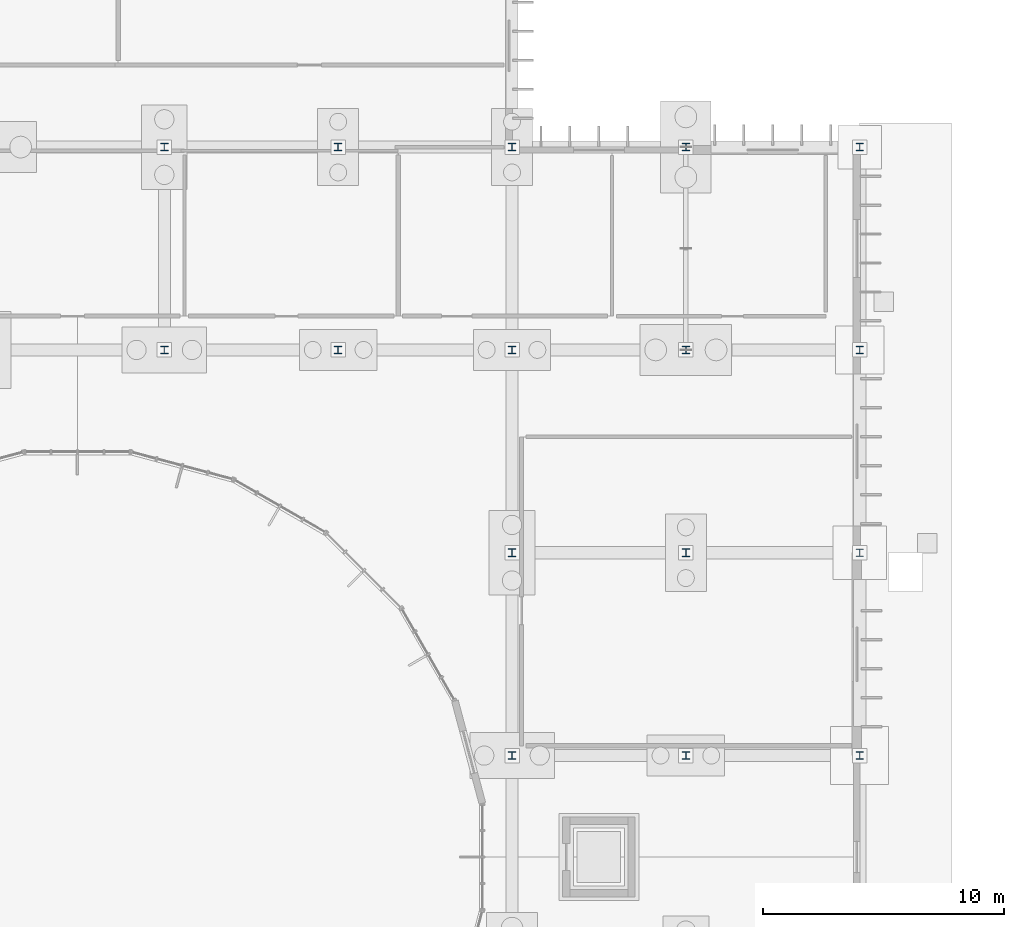
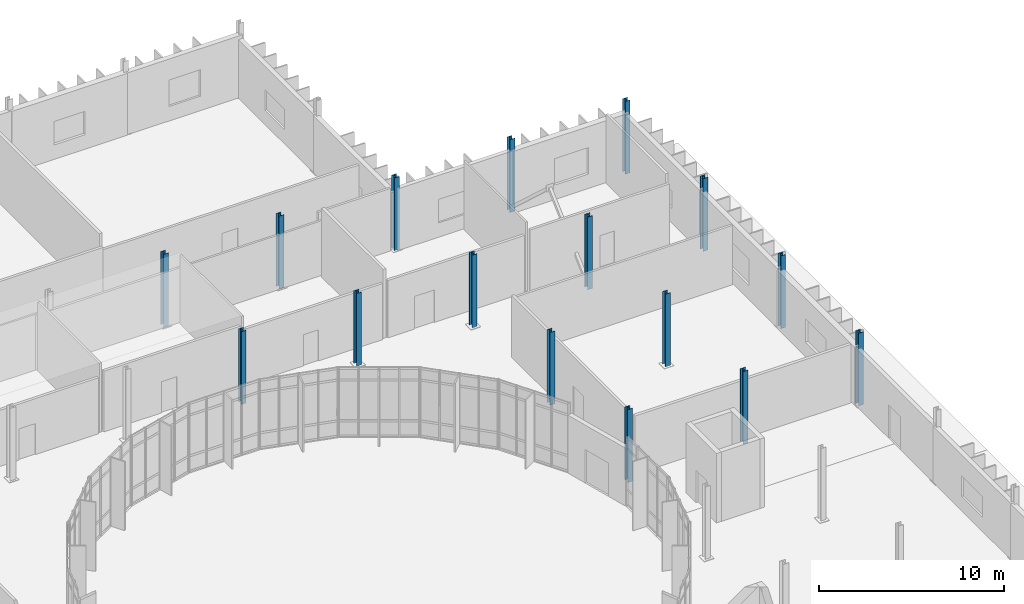
# One storey, part 28 of 118: 16 columns.
"""IFC4 building model written with IfcOpenShell, lengths in metres."""

import ifcopenshell
import ifcopenshell.guid

model = None  # the IFC model being written
_history = None  # IfcOwnerHistory: only IFC2X3 demands one
_inside = {}  # id of a spatial element -> (the spatial element, [elements in it])
_under = {}  # id of a project, library or spatial element -> (it, [spatial elements below it])
_declared = {}  # id of a project -> (the project, [libraries it declares])
_typed = {}  # id of a type object -> (the type object, [elements of that type])
_made_of = {}  # id of a material, layer set ... -> (it, [elements and type objects made of it])


def new_model(schema):
    """Start an empty IFC model of exactly this schema.

    Asked for "IFC4X3", IfcOpenShell would pick the latest addendum, in which some entities
    have other attributes; the version numbers below select the first issue.
    IFC2X3 requires an IfcOwnerHistory on every rooted entity: one is made here for all.
    """
    global model, _history
    if schema == "IFC4X3":
        model = ifcopenshell.file(schema_version=(4, 3, 0, 0))
    else:
        model = ifcopenshell.file(schema=schema)
    _inside.clear()
    _under.clear()
    _declared.clear()
    _typed.clear()
    _made_of.clear()
    _history = None
    if model.schema == "IFC2X3":
        org = make("IfcOrganization", Name="unknown")
        user = make(
            "IfcPersonAndOrganization",
            ThePerson=make("IfcPerson", FamilyName="unknown"),
            TheOrganization=org,
        )
        app = make(
            "IfcApplication",
            ApplicationDeveloper=org,
            Version="unknown",
            ApplicationFullName="unknown",
            ApplicationIdentifier="unknown",
        )
        _history = make(
            "IfcOwnerHistory",
            OwningUser=user,
            OwningApplication=app,
            ChangeAction="ADDED",
            CreationDate=0,
        )
    return model


def make(cls, **values):
    """One entity of the class cls with the attributes given. An attribute that is None is left unset."""
    return model.create_entity(
        cls, **{name: value for name, value in values.items() if value is not None}
    )


def rooted(cls, **values):
    """An entity with a GlobalId (a new one), such as an element, a storey or a relation."""
    return make(cls, GlobalId=ifcopenshell.guid.new(), OwnerHistory=_history, **values)


def si_unit(unit_type, name, prefix=None):
    """IfcSIUnit, for example si_unit("LENGTHUNIT", "METRE", prefix="MILLI")."""
    return make("IfcSIUnit", UnitType=unit_type, Prefix=prefix, Name=name)


def assignment(units):
    """IfcUnitAssignment: the units of a project."""
    return None if units is None else make("IfcUnitAssignment", Units=units)


def point(xyz):
    """IfcCartesianPoint."""
    return None if xyz is None else make("IfcCartesianPoint", Coordinates=xyz)


def direction(xyz):
    """IfcDirection."""
    return None if xyz is None else make("IfcDirection", DirectionRatios=xyz)


def frame(location, z_axis=None, x_axis=None):
    """IfcAxis2Placement3D, a coordinate frame: its origin and axes. An axis left out is left unset."""
    return make(
        "IfcAxis2Placement3D",
        Location=point(location),
        Axis=direction(z_axis),
        RefDirection=direction(x_axis),
    )


def frame_2d(location, x_axis=None):
    """IfcAxis2Placement2D, a coordinate frame in the plane: its origin and x axis."""
    return make(
        "IfcAxis2Placement2D", Location=point(location), RefDirection=direction(x_axis)
    )


def origin():
    """The frame at (0, 0, 0) with its axes left unset."""
    return frame((0.0, 0.0, 0.0))


def origin_2d():
    """The frame at (0, 0) in the plane with its x axis left unset."""
    return frame_2d((0.0, 0.0))


def place(relative_to, where):
    """IfcLocalPlacement: puts the frame where relative to a parent placement (None: the world)."""
    return make(
        "IfcLocalPlacement", PlacementRelTo=relative_to, RelativePlacement=where
    )


def context(
    kind, dimensions, precision=None, world=None, true_north=None, identifier=None
):
    """IfcGeometricRepresentationContext, for example the 3D "Model" context."""
    return make(
        "IfcGeometricRepresentationContext",
        ContextIdentifier=identifier,
        ContextType=kind,
        CoordinateSpaceDimension=dimensions,
        Precision=precision,
        WorldCoordinateSystem=world,
        TrueNorth=true_north,
    )


def subcontext(parent, identifier, kind, view, scale=None):
    """IfcGeometricRepresentationSubContext, for example "Body" below "Model"."""
    return make(
        "IfcGeometricRepresentationSubContext",
        ContextIdentifier=identifier,
        ContextType=kind,
        ParentContext=parent,
        TargetScale=scale,
        TargetView=view,
    )


def project(units=None, contexts=None):
    """IfcProject with its units and contexts."""
    return rooted(
        "IfcProject",
        Name="project",
        RepresentationContexts=contexts,
        UnitsInContext=assignment(units),
    )


def spatial(cls, under=None, at=None, **own):
    """A site, building, storey or space (cls), placed at a placement, below another one or the project."""
    s = rooted(cls, ObjectPlacement=at, **own)
    if under is not None:
        _under.setdefault(under.id(), (under, []))[1].append(s)
    return s


def profile(cls, at=None, kind="AREA", **sizes):
    """A parametric profile (cls). Its sizes go by their IFC names, for example OverallWidth=200.0."""
    return make(cls, ProfileType=kind, Position=at, **sizes)


def i_section(**sizes):
    """IfcIShapeProfileDef."""
    return profile("IfcIShapeProfileDef", **sizes)


def extrude(swept, where, along, depth):
    """IfcExtrudedAreaSolid: the profile swept, set in the frame where, extruded along a direction by depth."""
    return make(
        "IfcExtrudedAreaSolid",
        SweptArea=swept,
        Position=where,
        ExtrudedDirection=direction(along),
        Depth=depth,
    )


def shape(context_of_items, identifier, shape_type, items):
    """IfcShapeRepresentation: the items that make up one representation, for example the "Body"."""
    return make(
        "IfcShapeRepresentation",
        ContextOfItems=context_of_items,
        RepresentationIdentifier=identifier,
        RepresentationType=shape_type,
        Items=items,
    )


def material(Name=None, Category=None):
    """IfcMaterial."""
    return make("IfcMaterial", Name=Name, Category=Category)


def material_profile(
    of_material, cross_section, Name=None, Category=None, Priority=None
):
    """IfcMaterialProfile: a cross section and its material."""
    return make(
        "IfcMaterialProfile",
        Name=Name,
        Material=of_material,
        Profile=cross_section,
        Priority=Priority,
        Category=Category,
    )


def profile_set(profiles, Name=None, composite=None):
    """IfcMaterialProfileSet."""
    return make(
        "IfcMaterialProfileSet",
        Name=Name,
        MaterialProfiles=profiles,
        CompositeProfile=composite,
    )


def made_of(thing, what):
    """Note that an element or type object is made of a material, layer set ...; save() writes the relation."""
    if what is not None:
        _made_of.setdefault(what.id(), (what, []))[1].append(thing)
    return thing


def type_object(cls, material=None, **own):
    """A type object (cls), such as IfcWallType, which elements share."""
    return made_of(rooted(cls, **own), material)


def element(
    cls,
    number,
    at=None,
    inside=None,
    cuts=None,
    type_object=None,
    material=None,
    context=None,
    identifier="Body",
    shape_type=None,
    held_by="IfcProductDefinitionShape",
    body=None,
    shapes=None,
    **own,
):
    """One element of the class cls, such as IfcWall. Its Tag is "e" and its number.

    at: its placement. inside: the storey or other place that contains it. cuts: it is an
    opening in that element (IfcRelVoidsElement). A single representation is given by context,
    identifier, shape_type and body (its items); several are given by shapes. held_by: the class
    of the entity that holds the representations. save() writes the other relations.
    """
    e = rooted(cls, Tag="e%d" % number, ObjectPlacement=at, **own)
    if body is not None:
        shapes = [shape(context, identifier, shape_type, body)]
    if shapes is not None:
        e.Representation = make(held_by, Representations=shapes)
    if inside is not None:
        _inside.setdefault(inside.id(), (inside, []))[1].append(e)
    if cuts is not None:
        rooted(
            "IfcRelVoidsElement", RelatingBuildingElement=cuts, RelatedOpeningElement=e
        )
    if type_object is not None:
        _typed.setdefault(type_object.id(), (type_object, []))[1].append(e)
    return made_of(e, material)


def aggregate(whole, parts):
    """IfcRelAggregates: a whole, such as a stair, and the parts it consists of."""
    return rooted("IfcRelAggregates", RelatingObject=whole, RelatedObjects=parts)


def save(model, path):
    """Write the relations noted so far, then the file.

    IfcRelAggregates (storeys below a building ...), IfcRelContainedInSpatialStructure (elements
    in a storey), IfcRelDefinesByType, IfcRelAssociatesMaterial and IfcRelDeclares: one each for
    every whole, place, type object, material and project.
    """
    for whole, parts in _under.values():
        aggregate(whole, parts)
    for where, things in _inside.values():
        rooted(
            "IfcRelContainedInSpatialStructure",
            RelatedElements=things,
            RelatingStructure=where,
        )
    for kind, things in _typed.values():
        rooted("IfcRelDefinesByType", RelatedObjects=things, RelatingType=kind)
    for what, things in _made_of.values():
        rooted("IfcRelAssociatesMaterial", RelatedObjects=things, RelatingMaterial=what)
    for by, libraries in _declared.values():
        rooted("IfcRelDeclares", RelatingContext=by, RelatedDefinitions=libraries)
    model.write(path)


model = new_model("IFC4")

# Units and contexts
model_context = context("Model", 3, precision=1e-05, world=origin(), true_north=direction((0.0, 1.0)))
body_context = subcontext(model_context, "Body", "Model", "MODEL_VIEW")
ifc_project = project(units=[si_unit("LENGTHUNIT", "METRE"), si_unit("AREAUNIT", "SQUARE_METRE"), si_unit("VOLUMEUNIT", "CUBIC_METRE"), si_unit("PLANEANGLEUNIT", "RADIAN"), si_unit("MASSUNIT", "GRAM", prefix="KILO")], contexts=[model_context])

# Site, building, storey
site_placement = place(None, origin())
site = spatial("IfcSite", under=ifc_project, at=site_placement, CompositionType="ELEMENT")
building_placement = place(site_placement, origin())
building = spatial("IfcBuilding", under=site, at=building_placement, Name="Qelthora Terrace Specialist Clinic", CompositionType="ELEMENT")
storey_placement = place(building_placement, origin())
storey = spatial("IfcBuildingStorey", under=building, at=storey_placement, Name="L00", CompositionType="ELEMENT", Elevation=0.0)

# Columns
ifc_material = material(Name="Steel S355", Category="steel")
ifc_material_profile_1 = material_profile(ifc_material, i_section(OverallWidth=0.305908203125, OverallDepth=0.31103515625, WebThickness=0.010986328125, FlangeThickness=0.01708984375, FilletRadius=0.014892578125, at=origin_2d()), Name="W310X107")
ifc_profile_set_1 = profile_set([ifc_material_profile_1], Name="Steel S355")
column_type_1 = type_object("IfcColumnType", Name="COL-W310X107", PredefinedType="COLUMN", material=ifc_profile_set_1)
for number, where, z_axis, x_axis, name in (
    (1, (158.39990234375, 67.199951171875, 0.0), (0.0, 0.0, 1.0), (1.0, 0.0, 0.0), "Column L00-256"),
    (2, (158.39990234375, 92.39990234375, 0.0), (0.0, 0.0, 1.0), (1.0, 0.0, 0.0), "Column L00-259"),
):
    element("IfcColumn", number, at=place(storey_placement, frame(where, z_axis=z_axis, x_axis=x_axis)), inside=storey, type_object=column_type_1, Name=name, PredefinedType="COLUMN", context=body_context, shape_type="SweptSolid", body=[
        extrude(i_section(OverallWidth=0.305908203125, OverallDepth=0.31103515625, WebThickness=0.010986328125, FlangeThickness=0.01708984375, FilletRadius=0.014892578125, at=origin_2d()), origin(), (0.0, 0.0, 1.0), 4.800048828125),
    ])
ifc_material_profile_2 = material_profile(ifc_material, i_section(OverallWidth=0.306884765625, OverallDepth=0.31396484375, WebThickness=0.011962890625, FlangeThickness=0.018798828125, FilletRadius=0.01611328125, at=origin_2d()), Name="W310X118")
ifc_profile_set_2 = profile_set([ifc_material_profile_2], Name="Steel S355")
column_type_2 = type_object("IfcColumnType", Name="COL-W310X118", PredefinedType="COLUMN", material=ifc_profile_set_2)
column_1_placement = place(storey_placement, frame((158.39990234375, 84.0, 0.0), z_axis=(0.0, 0.0, 1.0), x_axis=(1.0, 0.0, 0.0)))
element("IfcColumn", 3, at=column_1_placement, inside=storey, type_object=column_type_2, Name="Column L00-258", PredefinedType="COLUMN", context=body_context, shape_type="SweptSolid", body=[
    extrude(i_section(OverallWidth=0.306884765625, OverallDepth=0.31396484375, WebThickness=0.011962890625, FlangeThickness=0.018798828125, FilletRadius=0.01611328125, at=origin_2d()), origin(), (0.0, 0.0, 1.0), 4.800048828125),
])
ifc_material_profile_3 = material_profile(ifc_material, i_section(OverallWidth=0.30810546875, OverallDepth=0.318115234375, WebThickness=0.01318359375, FlangeThickness=0.0205078125, FilletRadius=0.01611328125, at=origin_2d()), Name="W310X129")
ifc_profile_set_3 = profile_set([ifc_material_profile_3], Name="Steel S355")
column_type_3 = type_object("IfcColumnType", Name="COL-W310X129", PredefinedType="COLUMN", material=ifc_profile_set_3)
for number, where, z_axis, x_axis, name in (
    (4, (129.60009765625, 92.39990234375, 0.0), (0.0, 0.0, 1.0), (1.0, 0.0, 0.0), "Column L00-213"),
    (5, (136.800048828125, 92.39990234375, 0.0), (0.0, 0.0, 1.0), (1.0, 0.0, 0.0), "Column L00-221"),
    (6, (144.0, 75.60009765625, 0.0), (0.0, 0.0, 1.0), (1.0, 0.0, 0.0), "Column L00-231"),
    (7, (144.0, 92.39990234375, 0.0), (0.0, 0.0, 1.0), (1.0, 0.0, 0.0), "Column L00-233"),
    (8, (151.199951171875, 75.60009765625, 0.0), (0.0, 0.0, 1.0), (1.0, 0.0, 0.0), "Column L00-245"),
    (9, (151.199951171875, 92.39990234375, 0.0), (0.0, 0.0, 1.0), (1.0, 0.0, 0.0), "Column L00-247"),
):
    element("IfcColumn", number, at=place(storey_placement, frame(where, z_axis=z_axis, x_axis=x_axis)), inside=storey, type_object=column_type_3, Name=name, PredefinedType="COLUMN", context=body_context, shape_type="SweptSolid", body=[
        extrude(i_section(OverallWidth=0.30810546875, OverallDepth=0.318115234375, WebThickness=0.01318359375, FlangeThickness=0.0205078125, FilletRadius=0.01611328125, at=origin_2d()), origin(), (0.0, 0.0, 1.0), 4.800048828125),
    ])
ifc_material_profile_4 = material_profile(ifc_material, i_section(OverallWidth=0.30908203125, OverallDepth=0.322998046875, WebThickness=0.013916015625, FlangeThickness=0.02294921875, FilletRadius=0.01611328125, at=origin_2d()), Name="W310X143")
ifc_profile_set_4 = profile_set([ifc_material_profile_4], Name="Steel S355")
column_type_4 = type_object("IfcColumnType", Name="COL-W310X143", PredefinedType="COLUMN", material=ifc_profile_set_4)
for number, where, z_axis, x_axis, name in (
    (10, (129.60009765625, 84.0, 0.0), (0.0, 0.0, 1.0), (1.0, 0.0, 0.0), "Column L00-212"),
    (11, (136.800048828125, 84.0, 0.0), (0.0, 0.0, 1.0), (1.0, 0.0, 0.0), "Column L00-220"),
    (12, (144.0, 67.199951171875, 0.0), (0.0, 0.0, 1.0), (1.0, 0.0, 0.0), "Column L00-230"),
    (13, (144.0, 84.0, 0.0), (0.0, 0.0, 1.0), (1.0, 0.0, 0.0), "Column L00-232"),
    (14, (151.199951171875, 67.199951171875, 0.0), (0.0, 0.0, 1.0), (1.0, 0.0, 0.0), "Column L00-244"),
    (15, (151.199951171875, 84.0, 0.0), (0.0, 0.0, 1.0), (1.0, 0.0, 0.0), "Column L00-246"),
):
    element("IfcColumn", number, at=place(storey_placement, frame(where, z_axis=z_axis, x_axis=x_axis)), inside=storey, type_object=column_type_4, Name=name, PredefinedType="COLUMN", context=body_context, shape_type="SweptSolid", body=[
        extrude(i_section(OverallWidth=0.30908203125, OverallDepth=0.322998046875, WebThickness=0.013916015625, FlangeThickness=0.02294921875, FilletRadius=0.01611328125, at=origin_2d()), origin(), (0.0, 0.0, 1.0), 4.800048828125),
    ])
ifc_material_profile_5 = material_profile(ifc_material, i_section(OverallWidth=0.304931640625, OverallDepth=0.30810546875, WebThickness=0.010009765625, FlangeThickness=0.015380859375, FilletRadius=0.014892578125, at=origin_2d()), Name="W310X97")
ifc_profile_set_5 = profile_set([ifc_material_profile_5], Name="Steel S355")
column_type_5 = type_object("IfcColumnType", Name="COL-W310X97", PredefinedType="COLUMN", material=ifc_profile_set_5)
column_2_placement = place(storey_placement, frame((158.39990234375, 75.60009765625, 0.0), z_axis=(0.0, 0.0, 1.0), x_axis=(1.0, 0.0, 0.0)))
element("IfcColumn", 16, at=column_2_placement, inside=storey, type_object=column_type_5, Name="Column L00-257", PredefinedType="COLUMN", context=body_context, shape_type="SweptSolid", body=[
    extrude(i_section(OverallWidth=0.304931640625, OverallDepth=0.30810546875, WebThickness=0.010009765625, FlangeThickness=0.015380859375, FilletRadius=0.014892578125, at=origin_2d()), origin(), (0.0, 0.0, 1.0), 4.800048828125),
])

save(model, "model.ifc")
